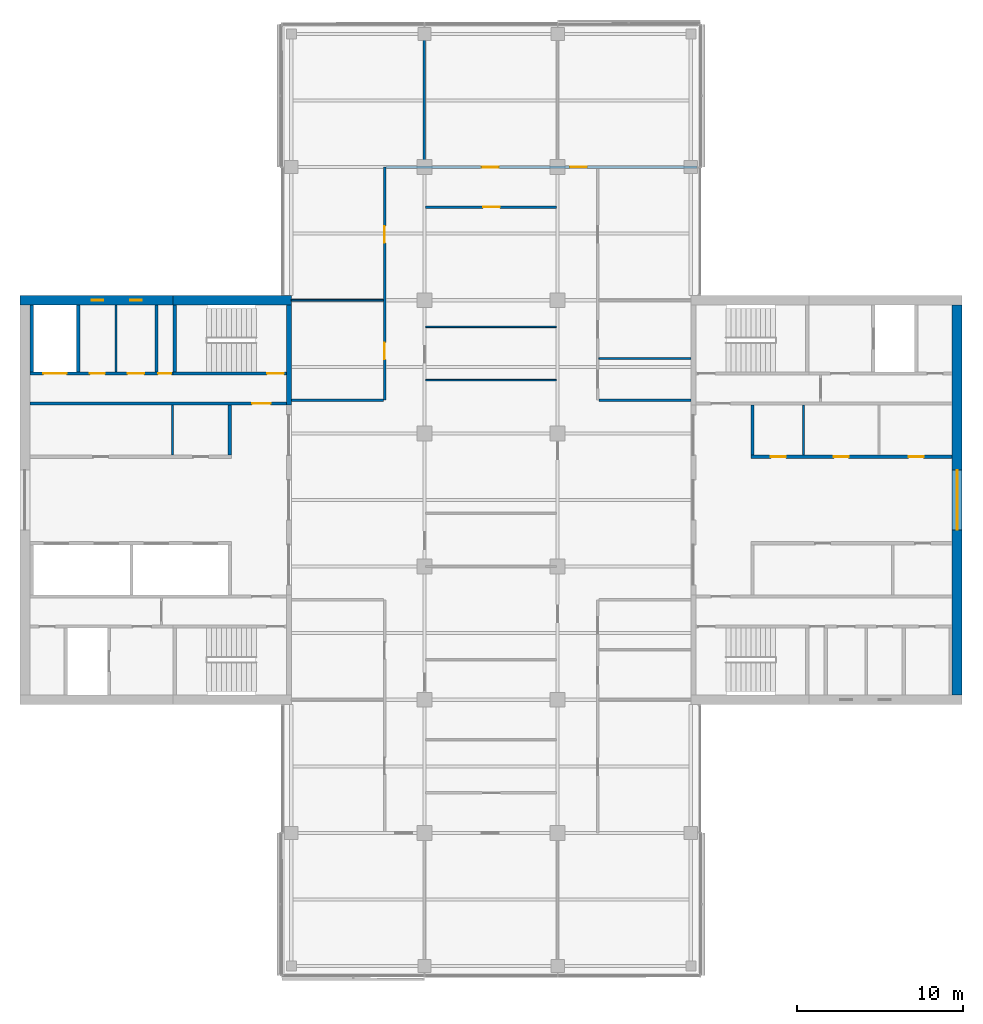
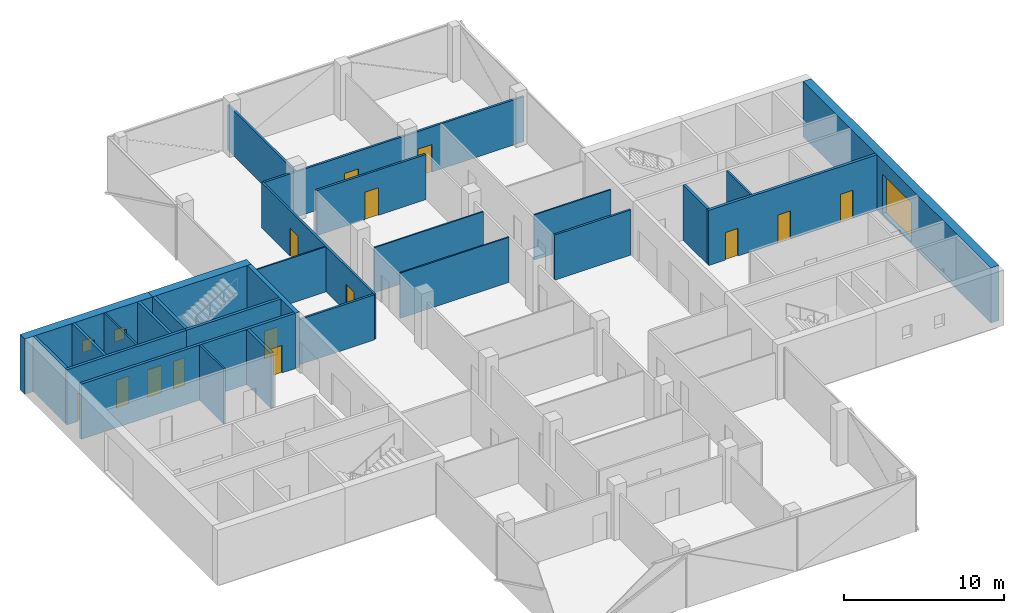
# One storey, part 11 of 15: 27 walls, 14 doors, 3 windows, 17 openings.
"""IFC4 building model written with IfcOpenShell, lengths in metres."""

from ifc_helpers import new_model, si_unit, direction, frame, frame_2d, origin, place, context, subcontext, project, spatial, rectangle, extrude, material, layer, layer_set, constituent, constituent_set, type_object, element, fill, save


model = new_model("IFC4")

# Units and contexts
model_context = context("Model", 3, precision=1e-05, world=origin(), true_north=direction((0.0, 1.0)))
body_context = subcontext(model_context, "Body", "Model", "MODEL_VIEW")
ifc_project = project(units=[si_unit("LENGTHUNIT", "METRE"), si_unit("AREAUNIT", "SQUARE_METRE"), si_unit("VOLUMEUNIT", "CUBIC_METRE"), si_unit("PLANEANGLEUNIT", "RADIAN"), si_unit("MASSUNIT", "GRAM", prefix="KILO")], contexts=[model_context])

# Site, building, storey
site_placement = place(None, origin())
site = spatial("IfcSite", under=ifc_project, at=site_placement, CompositionType="ELEMENT")
building_placement = place(site_placement, origin())
building = spatial("IfcBuilding", under=site, at=building_placement, Name="Crosswind Convention Tower", CompositionType="ELEMENT")
storey_placement = place(building_placement, frame((0.0, 0.0, 204.10009765625)))
storey = spatial("IfcBuildingStorey", under=building, at=storey_placement, Name="L43", CompositionType="ELEMENT", Elevation=204.10009765625)

# Walls
ifc_material_1 = material(Name="Concrete blockwork", Category="masonry")
ifc_layer_1 = layer(ifc_material_1, 0.199951171875)
ifc_layer_set_1 = layer_set([ifc_layer_1], Name="Blockwork partition wall 200")
wall_type_1 = type_object("IfcWallType", Name="Blockwork partition wall 200", PredefinedType="PARTITIONING", material=ifc_layer_set_1)
wall_1_placement = place(storey_placement, frame((104.89990234375, 111.699951171875, 0.0), z_axis=(0.0, 0.0, 1.0), x_axis=(0.0, -1.0, 0.0)))
element("IfcWall", 1, at=wall_1_placement, inside=storey, type_object=wall_type_1, Name="Wall MRSE W L43", PredefinedType="PARTITIONING", context=body_context, shape_type="SweptSolid", body=[
    extrude(rectangle(XDim=4.0, YDim=0.199951171875, at=frame_2d((2.0, 0.0))), origin(), (0.0, 0.0, 1.0), 4.199951171875),
])
ifc_material_2 = material(Name="Concrete C50/60", Category="concrete")
ifc_layer_2 = layer(ifc_material_2, 0.300048828125)
ifc_layer_set_2 = layer_set([ifc_layer_2], Name="Concrete C50/60")
wall_type_2 = type_object("IfcWallType", Name="Concrete inner core wall 300", PredefinedType="SHEAR", material=ifc_layer_set_2)
wall_2_placement = place(storey_placement, frame((112.85009765625, 111.699951171875, 0.0), z_axis=(0.0, 0.0, 1.0), x_axis=(0.0, -1.0, 0.0)))
element("IfcWall", 2, at=wall_2_placement, inside=storey, type_object=wall_type_2, Name="Wall EM W L43", PredefinedType="SHEAR", context=body_context, shape_type="SweptSolid", body=[
    extrude(rectangle(XDim=6.0, YDim=0.300048828125, at=frame_2d((3.0, 0.0))), origin(), (0.0, 0.0, 1.0), 4.199951171875),
])
ifc_layer_3 = layer(ifc_material_2, 0.199951171875)
ifc_layer_set_3 = layer_set([ifc_layer_3], Name="Concrete C50/60")
wall_type_3 = type_object("IfcWallType", Name="Concrete shaft and stair wall 200", PredefinedType="SHEAR", material=ifc_layer_set_3)
wall_3_placement = place(storey_placement, frame((140.699951171875, 102.699951171875, 0.0), z_axis=(0.0, 0.0, 1.0), x_axis=(0.0, 1.0, 0.0)))
element("IfcWall", 3, at=wall_3_placement, inside=storey, type_object=wall_type_3, Name="Wall RPEND E L43", PredefinedType="SHEAR", context=body_context, shape_type="SweptSolid", body=[
    extrude(rectangle(XDim=3.0, YDim=0.199951171875, at=frame_2d((1.5, 0.0))), origin(), (0.0, 0.0, 1.0), 4.199951171875),
])

# Wall, openings, doors
wall_4_placement = place(storey_placement, frame((140.60009765625, 102.60009765625, 0.0), z_axis=(0.0, 0.0, 1.0), x_axis=(1.0, 0.0, 0.0)))
wall_4 = element("IfcWall", 4, at=wall_4_placement, inside=storey, type_object=wall_type_3, Name="Wall RPFRONT E L43", PredefinedType="SHEAR", context=body_context, shape_type="SweptSolid", body=[
    extrude(rectangle(XDim=12.099853515625, YDim=0.199951171875, at=frame_2d((6.0498046875, 0.0))), origin(), (0.0, 0.0, 1.0), 4.199951171875),
])
opening_1_placement = place(wall_4_placement, frame((1.206298828125, 0.0, 0.0)))
opening_1 = element("IfcOpeningElement", 5, at=opening_1_placement, cuts=wall_4, Name="Opening D106", PredefinedType="OPENING", context=body_context, shape_type="SweptSolid", body=[
    extrude(rectangle(XDim=0.89990234375, YDim=2.10009765625, at=frame_2d((0.449951171875, 1.050048828125))), frame((0.0, 0.10986328125, 0.0), z_axis=(0.0, -1.0, 0.0), x_axis=(1.0, 0.0, 0.0)), (0.0, 0.0, 1.0), 0.219970703125),
])
opening_2_placement = place(wall_4_placement, frame((4.986083984375, 0.0, 0.0)))
opening_2 = element("IfcOpeningElement", 6, at=opening_2_placement, cuts=wall_4, Name="Opening D106", PredefinedType="OPENING", context=body_context, shape_type="SweptSolid", body=[
    extrude(rectangle(XDim=0.89990234375, YDim=2.10009765625, at=frame_2d((0.449951171875, 1.050048828125))), frame((0.0, 0.10986328125, 0.0), z_axis=(0.0, -1.0, 0.0), x_axis=(1.0, 0.0, 0.0)), (0.0, 0.0, 1.0), 0.219970703125),
])
opening_3_placement = place(wall_4_placement, frame((9.479736328125, 0.0, 0.0)))
opening_3 = element("IfcOpeningElement", 7, at=opening_3_placement, cuts=wall_4, Name="Opening D106", PredefinedType="OPENING", context=body_context, shape_type="SweptSolid", body=[
    extrude(rectangle(XDim=0.89990234375, YDim=2.10009765625, at=frame_2d((0.449951171875, 1.050048828125))), frame((0.0, 0.10986328125, 0.0), z_axis=(0.0, -1.0, 0.0), x_axis=(1.0, 0.0, 0.0)), (0.0, 0.0, 1.0), 0.219970703125),
])
ifc_material_3 = material(Name="Timber door", Category="wood")
door_type_1 = type_object("IfcDoorType", Name="Single leaf door 900x2100", OperationType="NOTDEFINED", PredefinedType="DOOR", material=ifc_material_3)
door_1_placement = place(opening_1_placement, origin())
door_1 = element("IfcDoor", 8, at=door_1_placement, inside=storey, type_object=door_type_1, Name="Door to meeting room L43", ObjectType="D106", OperationType="SINGLE_SWING_RIGHT", OverallHeight=2.10009765625, OverallWidth=0.89990234375, PredefinedType="DOOR", context=body_context, shape_type="SweptSolid", body=[
    extrude(rectangle(XDim=0.89990234375, YDim=2.10009765625, at=frame_2d((0.449951171875, 1.050048828125))), frame((0.0, 0.02490234375, 0.0), z_axis=(0.0, -1.0, 0.0), x_axis=(1.0, 0.0, 0.0)), (0.0, 0.0, 1.0), 0.050048828125),
])
fill(opening_1, door_1)
door_2_placement = place(opening_2_placement, origin())
door_2 = element("IfcDoor", 9, at=door_2_placement, inside=storey, type_object=door_type_1, Name="Door to pantry L43", ObjectType="D106", OperationType="SINGLE_SWING_RIGHT", OverallHeight=2.10009765625, OverallWidth=0.89990234375, PredefinedType="DOOR", context=body_context, shape_type="SweptSolid", body=[
    extrude(rectangle(XDim=0.89990234375, YDim=2.10009765625, at=frame_2d((0.449951171875, 1.050048828125))), frame((0.0, 0.02490234375, 0.0), z_axis=(0.0, -1.0, 0.0), x_axis=(1.0, 0.0, 0.0)), (0.0, 0.0, 1.0), 0.050048828125),
])
fill(opening_2, door_2)
door_3_placement = place(opening_3_placement, origin())
door_3 = element("IfcDoor", 10, at=door_3_placement, inside=storey, type_object=door_type_1, Name="Door to telecoms room L43", ObjectType="D106", OperationType="SINGLE_SWING_RIGHT", OverallHeight=2.10009765625, OverallWidth=0.89990234375, PredefinedType="DOOR", context=body_context, shape_type="SweptSolid", body=[
    extrude(rectangle(XDim=0.89990234375, YDim=2.10009765625, at=frame_2d((0.449951171875, 1.050048828125))), frame((0.0, 0.02490234375, 0.0), z_axis=(0.0, -1.0, 0.0), x_axis=(1.0, 0.0, 0.0)), (0.0, 0.0, 1.0), 0.050048828125),
])
fill(opening_3, door_3)

# Wall
wall_5_placement = place(storey_placement, frame((109.300048828125, 105.699951171875, 0.0), z_axis=(0.0, 0.0, 1.0), x_axis=(0.0, -1.0, 0.0)))
element("IfcWall", 11, at=wall_5_placement, inside=storey, type_object=wall_type_3, Name="Wall RMEND W L43", PredefinedType="SHEAR", context=body_context, shape_type="SweptSolid", body=[
    extrude(rectangle(XDim=3.0, YDim=0.199951171875, at=frame_2d((1.5, 0.0))), origin(), (0.0, 0.0, 1.0), 4.199951171875),
])

# Wall, opening, door
wall_6_placement = place(storey_placement, frame((112.699951171875, 105.800048828125, 0.0), z_axis=(0.0, 0.0, 1.0), x_axis=(-1.0, 0.0, 0.0)))
wall_6 = element("IfcWall", 12, at=wall_6_placement, inside=storey, type_object=wall_type_3, Name="Wall HM W L43", PredefinedType="SHEAR", context=body_context, shape_type="SweptSolid", body=[
    extrude(rectangle(XDim=15.39990234375, YDim=0.199951171875, at=frame_2d((7.699951171875, 0.0))), origin(), (0.0, 0.0, 1.0), 4.199951171875),
])
opening_4_placement = place(wall_6_placement, frame((0.949951171875, 0.0, 0.0)))
opening_4 = element("IfcOpeningElement", 13, at=opening_4_placement, cuts=wall_6, Name="Opening D104", PredefinedType="OPENING", context=body_context, shape_type="SweptSolid", body=[
    extrude(rectangle(XDim=1.10009765625, YDim=2.10009765625, at=frame_2d((0.550048828125, 1.050048828125))), frame((0.0, 0.10986328125, 0.0), z_axis=(0.0, -1.0, 0.0), x_axis=(1.0, 0.0, 0.0)), (0.0, 0.0, 1.0), 0.219970703125),
])
ifc_material_4 = material(Name="Steel fire door", Category="steel")
door_type_2 = type_object("IfcDoorType", Name="Fire-rated single door 1100x2100", OperationType="NOTDEFINED", PredefinedType="DOOR", material=ifc_material_4)
door_4_placement = place(opening_4_placement, origin())
door_4 = element("IfcDoor", 14, at=door_4_placement, inside=storey, type_object=door_type_2, Name="Corridor door L43", ObjectType="D104", OperationType="SINGLE_SWING_LEFT", OverallHeight=2.10009765625, OverallWidth=1.10009765625, PredefinedType="DOOR", context=body_context, shape_type="SweptSolid", body=[
    extrude(rectangle(XDim=1.10009765625, YDim=2.10009765625, at=frame_2d((0.550048828125, 1.050048828125))), frame((0.0, 0.02490234375, 0.0), z_axis=(0.0, -1.0, 0.0), x_axis=(1.0, 0.0, 0.0)), (0.0, 0.0, 1.0), 0.050048828125),
])
fill(opening_4, door_4)

# Walls
for number, where, z_axis, x_axis, name in (
    (15, (106.0, 111.699951171875, 0.0), (0.0, 0.0, 1.0), (0.0, -1.0, 0.0), "Wall MSE W L43"),
    (16, (100.199951171875, 111.699951171875, 0.0), (0.0, 0.0, 1.0), (0.0, -1.0, 0.0), "Wall MFSW W L43"),
    (17, (97.39990234375, 111.699951171875, 0.0), (0.0, 0.0, 1.0), (0.0, -1.0, 0.0), "Wall MFSE W L43"),
):
    element("IfcWall", number, at=place(storey_placement, frame(where, z_axis=z_axis, x_axis=x_axis)), inside=storey, type_object=wall_type_3, Name=name, PredefinedType="SHEAR", context=body_context, shape_type="SweptSolid", body=[
        extrude(rectangle(XDim=4.0, YDim=0.199951171875, at=frame_2d((2.0, 0.0))), origin(), (0.0, 0.0, 1.0), 4.199951171875),
    ])

# Wall, opening, door
wall_7_placement = place(storey_placement, frame((112.699951171875, 107.60009765625, 0.0), z_axis=(0.0, 0.0, 1.0), x_axis=(-1.0, 0.0, 0.0)))
wall_7 = element("IfcWall", 18, at=wall_7_placement, inside=storey, type_object=wall_type_3, Name="Wall MCW W L43", PredefinedType="SHEAR", context=body_context, shape_type="SweptSolid", body=[
    extrude(rectangle(XDim=6.800048828125, YDim=0.199951171875, at=frame_2d((3.39990234375, 0.0))), origin(), (0.0, 0.0, 1.0), 4.199951171875),
])
opening_5_placement = place(wall_7_placement, frame((0.14990234375, 0.0, 0.0)))
opening_5 = element("IfcOpeningElement", 19, at=opening_5_placement, cuts=wall_7, Name="Opening D103", PredefinedType="OPENING", context=body_context, shape_type="SweptSolid", body=[
    extrude(rectangle(XDim=1.0, YDim=2.10009765625, at=frame_2d((0.5, 1.050048828125))), frame((0.0, 0.10986328125, 0.0), z_axis=(0.0, -1.0, 0.0), x_axis=(1.0, 0.0, 0.0)), (0.0, 0.0, 1.0), 0.219970703125),
])
door_type_3 = type_object("IfcDoorType", Name="Fire-rated single door 1000x2100", OperationType="NOTDEFINED", PredefinedType="DOOR", material=ifc_material_4)
door_5_placement = place(opening_5_placement, frame((1.0, 0.0, 0.0), z_axis=(0.0, 0.0, 1.0), x_axis=(-1.0, 0.0, 0.0)))
door_5 = element("IfcDoor", 20, at=door_5_placement, inside=storey, type_object=door_type_3, Name="Stair ST4 door L43", ObjectType="D103", OperationType="SINGLE_SWING_RIGHT", OverallHeight=2.10009765625, OverallWidth=1.0, PredefinedType="DOOR", context=body_context, shape_type="SweptSolid", body=[
    extrude(rectangle(XDim=1.0, YDim=2.10009765625, at=frame_2d((0.5, 1.050048828125))), frame((0.0, 0.02490234375, 0.0), z_axis=(0.0, -1.0, 0.0), x_axis=(1.0, 0.0, 0.0)), (0.0, 0.0, 1.0), 0.050048828125),
])
fill(opening_5, door_5)

# Wall, openings, doors
wall_8_placement = place(storey_placement, frame((105.89990234375, 107.60009765625, 0.0), z_axis=(0.0, 0.0, 1.0), x_axis=(-1.0, 0.0, 0.0)))
wall_8 = element("IfcWall", 21, at=wall_8_placement, inside=storey, type_object=wall_type_3, Name="Wall MCX W L43", PredefinedType="SHEAR", context=body_context, shape_type="SweptSolid", body=[
    extrude(rectangle(XDim=8.599853515625, YDim=0.199951171875, at=frame_2d((4.2998046875, 0.0))), origin(), (0.0, 0.0, 1.0), 4.199951171875),
])
opening_6_placement = place(wall_8_placement, frame((0.10009765625, 0.0, 0.0)))
opening_6 = element("IfcOpeningElement", 22, at=opening_6_placement, cuts=wall_8, Name="Opening D105", PredefinedType="OPENING", context=body_context, shape_type="SweptSolid", body=[
    extrude(rectangle(XDim=0.800048828125, YDim=2.10009765625, at=frame_2d((0.39990234375, 1.050048828125))), frame((0.0, 0.10986328125, 0.0), z_axis=(0.0, -1.0, 0.0), x_axis=(1.0, 0.0, 0.0)), (0.0, 0.0, 1.0), 0.219970703125),
])
opening_7_placement = place(wall_8_placement, frame((1.73876953125, 0.0, 0.0)))
opening_7 = element("IfcOpeningElement", 23, at=opening_7_placement, cuts=wall_8, Name="Opening D103", PredefinedType="OPENING", context=body_context, shape_type="SweptSolid", body=[
    extrude(rectangle(XDim=1.0, YDim=2.10009765625, at=frame_2d((0.5, 1.050048828125))), frame((0.0, 0.10986328125, 0.0), z_axis=(0.0, -1.0, 0.0), x_axis=(1.0, 0.0, 0.0)), (0.0, 0.0, 1.0), 0.219970703125),
])
opening_8_placement = place(wall_8_placement, frame((4.101318359375, 0.0, 0.0)))
opening_8 = element("IfcOpeningElement", 24, at=opening_8_placement, cuts=wall_8, Name="Opening D106", PredefinedType="OPENING", context=body_context, shape_type="SweptSolid", body=[
    extrude(rectangle(XDim=0.89990234375, YDim=2.10009765625, at=frame_2d((0.449951171875, 1.050048828125))), frame((0.0, 0.10986328125, 0.0), z_axis=(0.0, -1.0, 0.0), x_axis=(1.0, 0.0, 0.0)), (0.0, 0.0, 1.0), 0.219970703125),
])
opening_9_placement = place(wall_8_placement, frame((6.39990234375, 0.0, 0.0)))
opening_9 = element("IfcOpeningElement", 25, at=opening_9_placement, cuts=wall_8, Name="Opening LD2", PredefinedType="OPENING", context=body_context, shape_type="SweptSolid", body=[
    extrude(rectangle(XDim=1.39990234375, YDim=2.10009765625, at=frame_2d((0.699951171875, 1.050048828125))), frame((0.0, 0.10986328125, 0.0), z_axis=(0.0, -1.0, 0.0), x_axis=(1.0, 0.0, 0.0)), (0.0, 0.0, 1.0), 0.219970703125),
])
door_6_placement = place(opening_7_placement, frame((1.0, 0.0, 0.0), z_axis=(0.0, 0.0, 1.0), x_axis=(-1.0, 0.0, 0.0)))
door_6 = element("IfcDoor", 26, at=door_6_placement, inside=storey, type_object=door_type_3, Name="Door to accessible wc L43", ObjectType="D103", OperationType="SINGLE_SWING_LEFT", OverallHeight=2.10009765625, OverallWidth=1.0, PredefinedType="DOOR", context=body_context, shape_type="SweptSolid", body=[
    extrude(rectangle(XDim=1.0, YDim=2.10009765625, at=frame_2d((0.5, 1.050048828125))), frame((0.0, 0.02490234375, 0.0), z_axis=(0.0, -1.0, 0.0), x_axis=(1.0, 0.0, 0.0)), (0.0, 0.0, 1.0), 0.050048828125),
])
fill(opening_7, door_6)
ifc_material_5 = material(Name="Stainless steel", Category="steel")
door_type_4 = type_object("IfcDoorType", Name="Lift landing door 1400x2100", OperationType="DOUBLE_DOOR_SLIDING", PredefinedType="DOOR", material=ifc_material_5)
door_7_placement = place(opening_9_placement, origin())
door_7 = element("IfcDoor", 27, at=door_7_placement, inside=storey, type_object=door_type_4, Name="Landing door SV2 L43", ObjectType="LD2", OperationType="DOUBLE_DOOR_SLIDING", OverallHeight=2.10009765625, OverallWidth=1.39990234375, PredefinedType="DOOR", context=body_context, shape_type="SweptSolid", body=[
    extrude(rectangle(XDim=1.39990234375, YDim=2.10009765625, at=frame_2d((0.699951171875, 1.050048828125))), frame((0.0, 0.02490234375, 0.0), z_axis=(0.0, -1.0, 0.0), x_axis=(1.0, 0.0, 0.0)), (0.0, 0.0, 1.0), 0.050048828125),
])
fill(opening_9, door_7)
door_type_5 = type_object("IfcDoorType", Name="Riser access door 800x2100", OperationType="NOTDEFINED", PredefinedType="DOOR", material=ifc_material_4)
door_8_placement = place(opening_6_placement, frame((0.800048828125, 0.0, 0.0), z_axis=(0.0, 0.0, 1.0), x_axis=(-1.0, 0.0, 0.0)))
door_8 = element("IfcDoor", 28, at=door_8_placement, inside=storey, type_object=door_type_5, Name="Riser door L43", ObjectType="D105", OperationType="SINGLE_SWING_LEFT", OverallHeight=2.10009765625, OverallWidth=0.800048828125, PredefinedType="DOOR", context=body_context, shape_type="SweptSolid", body=[
    extrude(rectangle(XDim=0.800048828125, YDim=2.10009765625, at=frame_2d((0.39990234375, 1.050048828125))), frame((0.0, 0.02490234375, 0.0), z_axis=(0.0, -1.0, 0.0), x_axis=(1.0, 0.0, 0.0)), (0.0, 0.0, 1.0), 0.050048828125),
])
fill(opening_6, door_8)
door_9_placement = place(opening_8_placement, frame((0.89990234375, 0.0, 0.0), z_axis=(0.0, 0.0, 1.0), x_axis=(-1.0, 0.0, 0.0)))
door_9 = element("IfcDoor", 29, at=door_9_placement, inside=storey, type_object=door_type_1, Name="Door to wc L43", ObjectType="D106", OperationType="SINGLE_SWING_LEFT", OverallHeight=2.10009765625, OverallWidth=0.89990234375, PredefinedType="DOOR", context=body_context, shape_type="SweptSolid", body=[
    extrude(rectangle(XDim=0.89990234375, YDim=2.10009765625, at=frame_2d((0.449951171875, 1.050048828125))), frame((0.0, 0.02490234375, 0.0), z_axis=(0.0, -1.0, 0.0), x_axis=(1.0, 0.0, 0.0)), (0.0, 0.0, 1.0), 0.050048828125),
])
fill(opening_8, door_9)

# Walls
ifc_material_6 = material(Name="Gypsum plasterboard partition", Category="gypsum")
ifc_layer_4 = layer(ifc_material_6, 0.125)
ifc_layer_set_4 = layer_set([ifc_layer_4], Name="Drywall partition wall 125")
wall_type_4 = type_object("IfcWallType", Name="Drywall partition wall 125", PredefinedType="PARTITIONING", material=ifc_layer_set_4)
for number, where, z_axis, x_axis, name in (
    (30, (143.77490234375, 102.699951171875, 0.0), (0.0, 0.0, 1.0), (0.0, 1.0, 0.0), "Wall RPP1 E L43"),
    (31, (105.867919921875, 105.699951171875, 0.0), (0.0, 0.0, 1.0), (0.0, -1.0, 0.0), "Wall RMP1 W L43"),
):
    element("IfcWall", number, at=place(storey_placement, frame(where, z_axis=z_axis, x_axis=x_axis)), inside=storey, type_object=wall_type_4, Name=name, PredefinedType="PARTITIONING", context=body_context, shape_type="SweptSolid", body=[
        extrude(rectangle(XDim=3.0, YDim=0.125, at=frame_2d((1.5, 0.0))), origin(), (0.0, 0.0, 1.0), 4.199951171875),
    ])
wall_9_placement = place(storey_placement, frame((102.4599609375, 111.699951171875, 0.0), z_axis=(0.0, 0.0, 1.0), x_axis=(0.0, -1.0, 0.0)))
element("IfcWall", 32, at=wall_9_placement, inside=storey, type_object=wall_type_4, Name="Wall MWP1 W L43", PredefinedType="PARTITIONING", context=body_context, shape_type="SweptSolid", body=[
    extrude(rectangle(XDim=4.0, YDim=0.125, at=frame_2d((2.0, 0.0))), origin(), (0.0, 0.0, 1.0), 4.199951171875),
])
ifc_material_7 = material(Name="Plasterboard partition", Category="gypsum")
ifc_layer_5 = layer(ifc_material_7, 0.10009765625)
ifc_layer_set_5 = layer_set([ifc_layer_5], Name="PARTITION 100 METAL STUD")
wall_type_5 = type_object("IfcWallType", Name="PARTITION 100 METAL STUD", PredefinedType="PARTITIONING", material=ifc_layer_set_5)
wall_10_placement = place(storey_placement, frame((121.074951171875, 107.199951171875, 0.0), z_axis=(0.0, 0.0, 1.0), x_axis=(1.0, 0.0, 0.0)))
element("IfcWall", 33, at=wall_10_placement, inside=storey, type_object=wall_type_5, Name="Partition wall WT40", PredefinedType="PARTITIONING", context=body_context, shape_type="SweptSolid", body=[
    extrude(rectangle(XDim=7.85009765625, YDim=0.10009765625, at=frame_2d((3.925048828125, 0.0))), origin(), (0.0, 0.0, 1.0), 3.439697265625),
])
wall_11_placement = place(storey_placement, frame((131.47509765625, 108.5, 0.0), z_axis=(0.0, 0.0, 1.0), x_axis=(1.0, 0.0, 0.0)))
element("IfcWall", 34, at=wall_11_placement, inside=storey, type_object=wall_type_5, Name="Partition wall WT40", PredefinedType="PARTITIONING", context=body_context, shape_type="SweptSolid", body=[
    extrude(rectangle(XDim=5.52490234375, YDim=0.10009765625, at=frame_2d((2.762451171875, 0.0))), origin(), (0.0, 0.0, 1.0), 3.439697265625),
])
wall_12_placement = place(storey_placement, frame((121.074951171875, 110.39990234375, 0.0), z_axis=(0.0, 0.0, 1.0), x_axis=(1.0, 0.0, 0.0)))
element("IfcWall", 35, at=wall_12_placement, inside=storey, type_object=wall_type_5, Name="Partition wall WT40", PredefinedType="PARTITIONING", context=body_context, shape_type="SweptSolid", body=[
    extrude(rectangle(XDim=7.85009765625, YDim=0.10009765625, at=frame_2d((3.925048828125, 0.0))), origin(), (0.0, 0.0, 1.0), 3.439697265625),
])
wall_13_placement = place(storey_placement, frame((113.0, 112.0, 0.0), z_axis=(0.0, 0.0, 1.0), x_axis=(1.0, 0.0, 0.0)))
element("IfcWall", 36, at=wall_13_placement, inside=storey, type_object=wall_type_5, Name="Partition wall WT40", PredefinedType="PARTITIONING", context=body_context, shape_type="SweptSolid", body=[
    extrude(rectangle(XDim=5.52490234375, YDim=0.10009765625, at=frame_2d((2.762451171875, 0.0))), origin(), (0.0, 0.0, 1.0), 3.439697265625),
])

# Wall, openings, doors
ifc_material_8 = material(Name="Fire-board partition with mineral wool", Category="gypsum")
ifc_layer_6 = layer(ifc_material_8, 0.14990234375)
ifc_layer_set_6 = layer_set([ifc_layer_6], Name="TENANCY WALL 150 TWO-HOUR BOARD")
wall_type_6 = type_object("IfcWallType", Name="TENANCY WALL 150 TWO-HOUR BOARD", PredefinedType="PARTITIONING", material=ifc_layer_set_6)
wall_14_placement = place(storey_placement, frame((118.60009765625, 106.0, 0.0), z_axis=(0.0, 0.0, 1.0), x_axis=(0.0, 1.0, 0.0)))
wall_14 = element("IfcWall", 37, at=wall_14_placement, inside=storey, type_object=wall_type_6, Name="Tenancy wall WT41", PredefinedType="PARTITIONING", context=body_context, shape_type="SweptSolid", body=[
    extrude(rectangle(XDim=14.0, YDim=0.14990234375, at=frame_2d((7.0, 0.0))), origin(), (0.0, 0.0, 1.0), 3.439697265625),
])
opening_10_placement = place(wall_14_placement, frame((2.449951171875, 0.0, 0.0)))
opening_10 = element("IfcOpeningElement", 38, at=opening_10_placement, cuts=wall_14, Name="Opening L43-56", PredefinedType="OPENING", context=body_context, shape_type="SweptSolid", body=[
    extrude(rectangle(XDim=1.0, YDim=2.10009765625, at=frame_2d((0.5, 1.050048828125))), frame((0.0, 0.0849609375, 0.0), z_axis=(0.0, -1.0, 0.0), x_axis=(1.0, 0.0, 0.0)), (0.0, 0.0, 1.0), 0.169921875),
])
opening_11_placement = place(wall_14_placement, frame((9.449951171875, 0.0, 0.0)))
opening_11 = element("IfcOpeningElement", 39, at=opening_11_placement, cuts=wall_14, Name="Opening L43-57", PredefinedType="OPENING", context=body_context, shape_type="SweptSolid", body=[
    extrude(rectangle(XDim=1.0, YDim=2.10009765625, at=frame_2d((0.5, 1.050048828125))), frame((0.0, 0.0849609375, 0.0), z_axis=(0.0, -1.0, 0.0), x_axis=(1.0, 0.0, 0.0)), (0.0, 0.0, 1.0), 0.169921875),
])
ifc_material_9 = material(Name="Timber fire door", Category="wood")
door_type_6 = type_object("IfcDoorType", Name="TENANCY ENTRANCE DOOR 1000X2100 FD30S", OperationType="NOTDEFINED", PredefinedType="DOOR", material=ifc_material_9)
door_10_placement = place(opening_10_placement, origin())
door_10 = element("IfcDoor", 40, at=door_10_placement, inside=storey, type_object=door_type_6, Name="Door L43-56", ObjectType="D41", OperationType="SINGLE_SWING_LEFT", OverallHeight=2.10009765625, OverallWidth=1.0, PredefinedType="DOOR", context=body_context, shape_type="SweptSolid", body=[
    extrude(rectangle(XDim=1.0, YDim=2.10009765625, at=frame_2d((0.5, 1.050048828125))), frame((0.0, 0.02490234375, 0.0), z_axis=(0.0, -1.0, 0.0), x_axis=(1.0, 0.0, 0.0)), (0.0, 0.0, 1.0), 0.050048828125),
])
fill(opening_10, door_10)
door_11_placement = place(opening_11_placement, origin())
door_11 = element("IfcDoor", 41, at=door_11_placement, inside=storey, type_object=door_type_6, Name="Door L43-57", ObjectType="D41", OperationType="SINGLE_SWING_LEFT", OverallHeight=2.10009765625, OverallWidth=1.0, PredefinedType="DOOR", context=body_context, shape_type="SweptSolid", body=[
    extrude(rectangle(XDim=1.0, YDim=2.10009765625, at=frame_2d((0.5, 1.050048828125))), frame((0.0, 0.02490234375, 0.0), z_axis=(0.0, -1.0, 0.0), x_axis=(1.0, 0.0, 0.0)), (0.0, 0.0, 1.0), 0.050048828125),
])
fill(opening_11, door_11)

# Walls
wall_15_placement = place(storey_placement, frame((121.0, 120.074951171875, 0.0), z_axis=(0.0, 0.0, 1.0), x_axis=(0.0, 1.0, 0.0)))
element("IfcWall", 42, at=wall_15_placement, inside=storey, type_object=wall_type_6, Name="Tenancy wall WT41", PredefinedType="PARTITIONING", context=body_context, shape_type="SweptSolid", body=[
    extrude(rectangle(XDim=8.295166015625, YDim=0.14990234375, at=frame_2d((4.1474609375, 0.0))), origin(), (0.0, 0.0, 1.0), 3.439697265625),
])
for number, where, z_axis, x_axis, name in (
    (43, (113.0, 106.0, 0.0), (0.0, 0.0, 1.0), (1.0, 0.0, 0.0), "Tenancy wall WT41"),
    (44, (131.47509765625, 106.0, 0.0), (0.0, 0.0, 1.0), (1.0, 0.0, 0.0), "Tenancy wall WT41"),
):
    element("IfcWall", number, at=place(storey_placement, frame(where, z_axis=z_axis, x_axis=x_axis)), inside=storey, type_object=wall_type_6, Name=name, PredefinedType="PARTITIONING", context=body_context, shape_type="SweptSolid", body=[
        extrude(rectangle(XDim=5.52490234375, YDim=0.14990234375, at=frame_2d((2.762451171875, 0.0))), origin(), (0.0, 0.0, 1.0), 3.439697265625),
    ])

# Wall, opening, door
wall_16_placement = place(storey_placement, frame((121.074951171875, 117.60009765625, 0.0), z_axis=(0.0, 0.0, 1.0), x_axis=(1.0, 0.0, 0.0)))
wall_16 = element("IfcWall", 45, at=wall_16_placement, inside=storey, type_object=wall_type_6, Name="Tenancy wall WT41", PredefinedType="PARTITIONING", context=body_context, shape_type="SweptSolid", body=[
    extrude(rectangle(XDim=7.85009765625, YDim=0.14990234375, at=frame_2d((3.925048828125, 0.0))), origin(), (0.0, 0.0, 1.0), 3.439697265625),
])
opening_12_placement = place(wall_16_placement, frame((3.449951171875, 0.0, 0.0)))
opening_12 = element("IfcOpeningElement", 46, at=opening_12_placement, cuts=wall_16, Name="Opening L43-70", PredefinedType="OPENING", context=body_context, shape_type="SweptSolid", body=[
    extrude(rectangle(XDim=1.0, YDim=2.10009765625, at=frame_2d((0.5, 1.050048828125))), frame((0.0, 0.0849609375, 0.0), z_axis=(0.0, -1.0, 0.0), x_axis=(1.0, 0.0, 0.0)), (0.0, 0.0, 1.0), 0.169921875),
])
door_12_placement = place(opening_12_placement, frame((1.0, 0.0, 0.0), z_axis=(0.0, 0.0, 1.0), x_axis=(-1.0, 0.0, 0.0)))
door_12 = element("IfcDoor", 47, at=door_12_placement, inside=storey, type_object=door_type_6, Name="Door L43-70", ObjectType="D41", OperationType="SINGLE_SWING_LEFT", OverallHeight=2.10009765625, OverallWidth=1.0, PredefinedType="DOOR", context=body_context, shape_type="SweptSolid", body=[
    extrude(rectangle(XDim=1.0, YDim=2.10009765625, at=frame_2d((0.5, 1.050048828125))), frame((0.0, 0.02490234375, 0.0), z_axis=(0.0, -1.0, 0.0), x_axis=(1.0, 0.0, 0.0)), (0.0, 0.0, 1.0), 0.050048828125),
])
fill(opening_12, door_12)

# Wall, openings, doors
wall_17_placement = place(storey_placement, frame((118.675048828125, 120.0, 0.0), z_axis=(0.0, 0.0, 1.0), x_axis=(1.0, 0.0, 0.0)))
wall_17 = element("IfcWall", 48, at=wall_17_placement, inside=storey, type_object=wall_type_6, Name="Tenancy wall WT41", PredefinedType="PARTITIONING", context=body_context, shape_type="SweptSolid", body=[
    extrude(rectangle(XDim=18.695068359375, YDim=0.14990234375, at=frame_2d((9.34765625, 0.0))), origin(), (0.0, 0.0, 1.0), 3.439697265625),
])
opening_13_placement = place(wall_17_placement, frame((5.77490234375, 0.0, 0.0)))
opening_13 = element("IfcOpeningElement", 49, at=opening_13_placement, cuts=wall_17, Name="Opening L43-60", PredefinedType="OPENING", context=body_context, shape_type="SweptSolid", body=[
    extrude(rectangle(XDim=1.0, YDim=2.10009765625, at=frame_2d((0.5, 1.050048828125))), frame((0.0, 0.0849609375, 0.0), z_axis=(0.0, -1.0, 0.0), x_axis=(1.0, 0.0, 0.0)), (0.0, 0.0, 1.0), 0.169921875),
])
opening_14_placement = place(wall_17_placement, frame((11.074951171875, 0.0, 0.0)))
opening_14 = element("IfcOpeningElement", 50, at=opening_14_placement, cuts=wall_17, Name="Opening L43-61", PredefinedType="OPENING", context=body_context, shape_type="SweptSolid", body=[
    extrude(rectangle(XDim=1.0, YDim=2.10009765625, at=frame_2d((0.5, 1.050048828125))), frame((0.0, 0.0849609375, 0.0), z_axis=(0.0, -1.0, 0.0), x_axis=(1.0, 0.0, 0.0)), (0.0, 0.0, 1.0), 0.169921875),
])
door_13_placement = place(opening_13_placement, origin())
door_13 = element("IfcDoor", 51, at=door_13_placement, inside=storey, type_object=door_type_6, Name="Door L43-60", ObjectType="D41", OperationType="SINGLE_SWING_LEFT", OverallHeight=2.10009765625, OverallWidth=1.0, PredefinedType="DOOR", context=body_context, shape_type="SweptSolid", body=[
    extrude(rectangle(XDim=1.0, YDim=2.10009765625, at=frame_2d((0.5, 1.050048828125))), frame((0.0, 0.02490234375, 0.0), z_axis=(0.0, -1.0, 0.0), x_axis=(1.0, 0.0, 0.0)), (0.0, 0.0, 1.0), 0.050048828125),
])
fill(opening_13, door_13)
door_14_placement = place(opening_14_placement, frame((1.0, 0.0, 0.0), z_axis=(0.0, 0.0, 1.0), x_axis=(-1.0, 0.0, 0.0)))
door_14 = element("IfcDoor", 52, at=door_14_placement, inside=storey, type_object=door_type_6, Name="Door L43-61", ObjectType="D41", OperationType="SINGLE_SWING_RIGHT", OverallHeight=2.10009765625, OverallWidth=1.0, PredefinedType="DOOR", context=body_context, shape_type="SweptSolid", body=[
    extrude(rectangle(XDim=1.0, YDim=2.10009765625, at=frame_2d((0.5, 1.050048828125))), frame((0.0, 0.02490234375, 0.0), z_axis=(0.0, -1.0, 0.0), x_axis=(1.0, 0.0, 0.0)), (0.0, 0.0, 1.0), 0.050048828125),
])
fill(opening_14, door_14)

# Wall, opening, window
ifc_material_10 = material(Name="Concrete C60/75", Category="concrete")
ifc_constituent_1 = constituent(ifc_material_10, Name="Structure")
ifc_material_11 = material(Name="Terracotta rainscreen", Category="ceramic")
ifc_constituent_2 = constituent(ifc_material_11, Name="Facing")
ifc_constituent_set = constituent_set(constituents=[ifc_constituent_1, ifc_constituent_2], Name="Concrete C60/75, Terracotta rainscreen")
wall_type_7 = type_object("IfcWallType", Name="Terracotta rainscreen on concrete core wall 600", PredefinedType="SHEAR", material=ifc_constituent_set)
wall_18_placement = place(storey_placement, frame((153.0, 88.300048828125, 0.0), z_axis=(0.0, 0.0, 1.0), x_axis=(0.0, 1.0, 0.0)))
wall_18 = element("IfcWall", 53, at=wall_18_placement, inside=storey, type_object=wall_type_7, Name="Wall O E L43", PredefinedType="SHEAR", context=body_context, shape_type="SweptSolid", body=[
    extrude(rectangle(XDim=23.39990234375, YDim=0.60009765625, at=frame_2d((11.699951171875, 0.0))), origin(), (0.0, 0.0, 1.0), 4.199951171875),
])
opening_15_placement = place(wall_18_placement, frame((9.89990234375, 0.0, 0.14990234375)))
opening_15 = element("IfcOpeningElement", 54, at=opening_15_placement, cuts=wall_18, Name="Opening W1", PredefinedType="OPENING", context=body_context, shape_type="SweptSolid", body=[
    extrude(rectangle(XDim=3.60009765625, YDim=3.0, at=frame_2d((1.800048828125, 1.5))), frame((0.0, 0.31005859375, 0.0), z_axis=(0.0, -1.0, 0.0), x_axis=(1.0, 0.0, 0.0)), (0.0, 0.0, 1.0), 0.6201171875),
])
ifc_material_12 = material(Name="Clear laminated glass in aluminium frame", Category="aluminium")
window_type_1 = type_object("IfcWindowType", Name="Lobby end window 3600x3000", PartitioningType="SINGLE_PANEL", PredefinedType="WINDOW", material=ifc_material_12)
window_1_placement = place(opening_15_placement, origin())
window_1 = element("IfcWindow", 55, at=window_1_placement, inside=storey, type_object=window_type_1, Name="Lobby end window L43", ObjectType="W1", OverallHeight=3.0, OverallWidth=3.60009765625, PartitioningType="SINGLE_PANEL", PredefinedType="WINDOW", context=body_context, shape_type="SweptSolid", body=[
    extrude(rectangle(XDim=3.60009765625, YDim=3.0, at=frame_2d((1.800048828125, 1.5))), frame((0.0, 0.030029296875, 0.0), z_axis=(0.0, -1.0, 0.0), x_axis=(1.0, 0.0, 0.0)), (0.0, 0.0, 1.0), 0.06005859375),
])
fill(opening_15, window_1)

# Wall
wall_19_placement = place(storey_placement, frame((113.0, 112.0, 0.0), z_axis=(0.0, 0.0, 1.0), x_axis=(-1.0, 0.0, 0.0)))
element("IfcWall", 56, at=wall_19_placement, inside=storey, type_object=wall_type_7, Name="Wall S1 W L43", PredefinedType="SHEAR", context=body_context, shape_type="SweptSolid", body=[
    extrude(rectangle(XDim=7.10009765625, YDim=0.60009765625, at=frame_2d((3.550048828125, 0.0))), origin(), (0.0, 0.0, 1.0), 4.199951171875),
])

# Wall, openings, windows
wall_20_placement = place(storey_placement, frame((105.89990234375, 112.0, 0.0), z_axis=(0.0, 0.0, 1.0), x_axis=(-1.0, 0.0, 0.0)))
wall_20 = element("IfcWall", 57, at=wall_20_placement, inside=storey, type_object=wall_type_7, Name="Wall S2 W L43", PredefinedType="SHEAR", context=body_context, shape_type="SweptSolid", body=[
    extrude(rectangle(XDim=9.199951171875, YDim=0.60009765625, at=frame_2d((4.60009765625, 0.0))), origin(), (0.0, 0.0, 1.0), 4.199951171875),
])
opening_16_placement = place(wall_20_placement, frame((1.888671875, 0.0, 1.5)))
opening_16 = element("IfcOpeningElement", 58, at=opening_16_placement, cuts=wall_20, Name="Opening W2", PredefinedType="OPENING", context=body_context, shape_type="SweptSolid", body=[
    extrude(rectangle(XDim=0.699951171875, YDim=0.89990234375, at=frame_2d((0.35009765625, 0.449951171875))), frame((0.0, 0.31005859375, 0.0), z_axis=(0.0, -1.0, 0.0), x_axis=(1.0, 0.0, 0.0)), (0.0, 0.0, 1.0), 0.6201171875),
])
opening_17_placement = place(wall_20_placement, frame((4.201171875, 0.0, 1.5)))
opening_17 = element("IfcOpeningElement", 59, at=opening_17_placement, cuts=wall_20, Name="Opening W2", PredefinedType="OPENING", context=body_context, shape_type="SweptSolid", body=[
    extrude(rectangle(XDim=0.699951171875, YDim=0.89990234375, at=frame_2d((0.35009765625, 0.449951171875))), frame((0.0, 0.31005859375, 0.0), z_axis=(0.0, -1.0, 0.0), x_axis=(1.0, 0.0, 0.0)), (0.0, 0.0, 1.0), 0.6201171875),
])
ifc_material_13 = material(Name="Obscure glass in aluminium frame", Category="aluminium")
window_type_2 = type_object("IfcWindowType", Name="WC window 700x900", PartitioningType="SINGLE_PANEL", PredefinedType="WINDOW", material=ifc_material_13)
window_2_placement = place(opening_16_placement, origin())
window_2 = element("IfcWindow", 60, at=window_2_placement, inside=storey, type_object=window_type_2, Name="WC window L43", ObjectType="W2", OverallHeight=0.89990234375, OverallWidth=0.699951171875, PartitioningType="SINGLE_PANEL", PredefinedType="WINDOW", context=body_context, shape_type="SweptSolid", body=[
    extrude(rectangle(XDim=0.699951171875, YDim=0.89990234375, at=frame_2d((0.35009765625, 0.449951171875))), frame((0.0, 0.030029296875, 0.0), z_axis=(0.0, -1.0, 0.0), x_axis=(1.0, 0.0, 0.0)), (0.0, 0.0, 1.0), 0.06005859375),
])
fill(opening_16, window_2)
window_3_placement = place(opening_17_placement, origin())
window_3 = element("IfcWindow", 61, at=window_3_placement, inside=storey, type_object=window_type_2, Name="WC window L43", ObjectType="W2", OverallHeight=0.89990234375, OverallWidth=0.699951171875, PartitioningType="SINGLE_PANEL", PredefinedType="WINDOW", context=body_context, shape_type="SweptSolid", body=[
    extrude(rectangle(XDim=0.699951171875, YDim=0.89990234375, at=frame_2d((0.35009765625, 0.449951171875))), frame((0.0, 0.030029296875, 0.0), z_axis=(0.0, -1.0, 0.0), x_axis=(1.0, 0.0, 0.0)), (0.0, 0.0, 1.0), 0.06005859375),
])
fill(opening_17, window_3)

save(model, "model.ifc")
